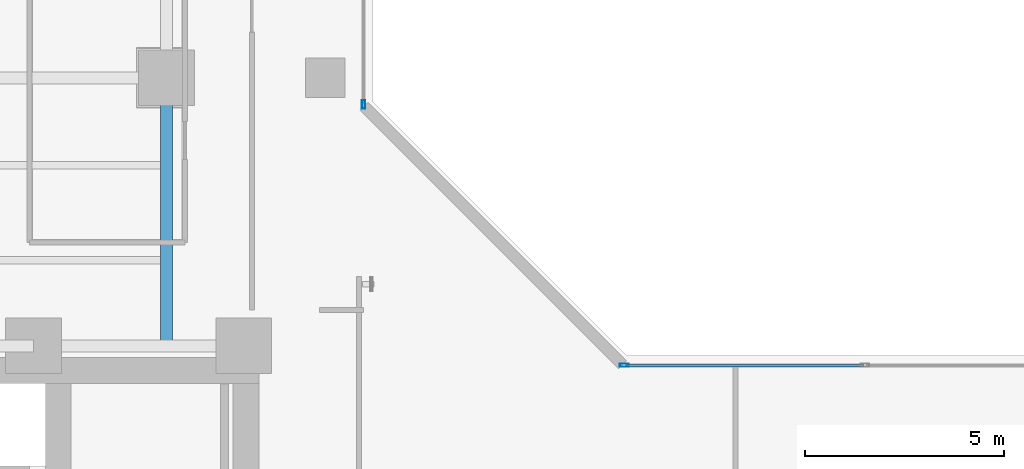
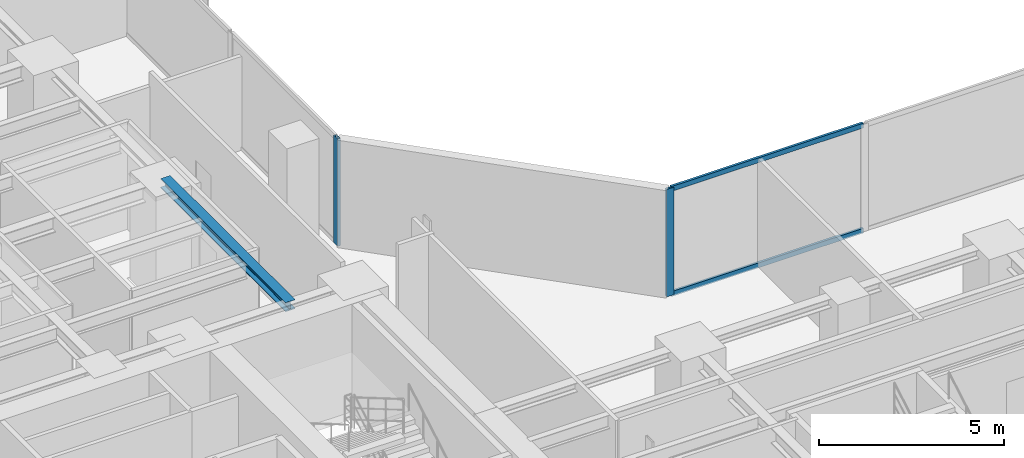
# One storey, part 10 of 28: 4 members, 1 beam, 2 elements without a shape of their own.
"""IFC4 building model written with IfcOpenShell, lengths in metres."""

from ifc_helpers import new_model, si_unit, direction, frame, origin, origin_with_axes, origin_2d, place, context, subcontext, project, spatial, hollow_rectangle, i_section, extrude, source, transform, mapped, material, layer, layer_set, material_profile, profile_set, type_object, element, aggregate, save


model = new_model("IFC4")

# Units and contexts
model_context = context("Model", 3, precision=1e-05, world=origin(), true_north=direction((0.0, 1.0)))
body_context = subcontext(model_context, "Body", "Model", "MODEL_VIEW")
ifc_project = project(units=[si_unit("LENGTHUNIT", "METRE"), si_unit("AREAUNIT", "SQUARE_METRE"), si_unit("VOLUMEUNIT", "CUBIC_METRE"), si_unit("PLANEANGLEUNIT", "RADIAN"), si_unit("MASSUNIT", "GRAM", prefix="KILO")], contexts=[model_context])

# Site, building, storey
site_placement = place(None, origin())
site = spatial("IfcSite", under=ifc_project, at=site_placement, CompositionType="ELEMENT")
building_placement = place(site_placement, origin())
building = spatial("IfcBuilding", under=site, at=building_placement, Name="Kolvaren Waterfront Exchange", CompositionType="ELEMENT")
storey_placement = place(building_placement, frame((0.0, 0.0, 114.5)))
storey = spatial("IfcBuildingStorey", under=building, at=storey_placement, Name="L29", CompositionType="ELEMENT", Elevation=114.5)

# Beam
ifc_material_1 = material(Name="Steel S355", Category="steel")
ifc_material_profile_1 = material_profile(ifc_material_1, i_section(OverallWidth=0.300048828125, OverallDepth=0.300048828125, WebThickness=0.010986328125, FlangeThickness=0.01904296875, FilletRadius=0.027099609375, at=origin_2d()), Name="HEB300")
ifc_profile_set_1 = profile_set([ifc_material_profile_1], Name="Steel S355")
beam_type = type_object("IfcBeamType", Name="STR-BM-HEB300", PredefinedType="SPANDREL", material=ifc_profile_set_1)
beam_placement = place(storey_placement, frame((18.800048828125, 24.449951171875, 3.389892578125), z_axis=(0.0, 1.0, 0.0), x_axis=(-1.0, 0.0, 0.0)))
element("IfcBeam", 1, at=beam_placement, inside=storey, type_object=beam_type, Name="L29 north-arm edge beam 1", PredefinedType="SPANDREL", context=body_context, shape_type="SweptSolid", body=[
    extrude(i_section(OverallWidth=0.300048828125, OverallDepth=0.300048828125, WebThickness=0.010986328125, FlangeThickness=0.01904296875, FilletRadius=0.027099609375, at=origin_2d()), origin(), (0.0, 0.0, 1.0), 6.75),
])

# Curtain wall, member
ifc_material_2 = material(Name="Anodised bronze aluminium 6063-T6", Category="aluminium")
ifc_layer = layer(ifc_material_2, 0.219970703125, Name="Anodised bronze aluminium 6063-T6")
ifc_layer_set = layer_set([ifc_layer], Name="Anodised bronze aluminium 6063-T6")
curtain_wall_type = type_object("IfcCurtainWallType", Name="ARC-CW-SYS1", PredefinedType="USERDEFINED", material=ifc_layer_set)
curtain_wall_1_placement = place(storey_placement, origin())
curtain_wall_1 = element("IfcCurtainWall", 2, at=curtain_wall_1_placement, inside=storey, type_object=curtain_wall_type, Name="L29 stick curtain wall CW1 (CW-L29-NE)", ObjectType="STICK CURTAIN WALL", PredefinedType="USERDEFINED")
ifc_material_3 = material(Name="Anodised aluminium 6063-T6", Category="aluminium")
ifc_material_profile_2 = material_profile(ifc_material_3, hollow_rectangle(XDim=0.080078125, YDim=0.219970703125, WallThickness=0.0048828125, at=origin_2d()), Name="ALU-MUL-220x80x5")
ifc_profile_set_2 = profile_set([ifc_material_profile_2], Name="Anodised aluminium 6063-T6")
member_type_1 = type_object("IfcMemberType", Name="ARC-CWM-220", PredefinedType="MULLION", material=ifc_profile_set_2)
shared_shape_1 = source(origin_with_axes(), body_context, "Body", "SweptSolid", [
    extrude(hollow_rectangle(XDim=0.080078125, YDim=0.219970703125, WallThickness=0.0048828125, at=origin_2d()), origin(), (0.0, 0.0, 1.0), 3.5400390625),
])
member_1_placement = place(storey_placement, frame((23.760009765625, 30.530029296875, 0.0), z_axis=(0.0, 0.0, 1.0), x_axis=(-1.0, 0.0, 0.0)))
member_1 = element("IfcMember", 3, at=member_1_placement, type_object=member_type_1, Name="CW1 mullion 1", PredefinedType="MULLION", context=body_context, shape_type="MappedRepresentation", body=[
    mapped(shared_shape_1, transform((0.0, 0.0, 0.0), x_axis=(1.0, 0.0, 0.0), y_axis=(0.0, 1.0, 0.0), z_axis=(0.0, 0.0, 1.0), scale=1.0)),
])
aggregate(curtain_wall_1, [member_1])

# Curtain wall, members
curtain_wall_2_placement = place(storey_placement, origin())
curtain_wall_2 = element("IfcCurtainWall", 4, at=curtain_wall_2_placement, inside=storey, type_object=curtain_wall_type, Name="L29 stick curtain wall CW1 (CW-L29-EN)", ObjectType="STICK CURTAIN WALL", PredefinedType="USERDEFINED")
member_2_placement = place(storey_placement, frame((30.330078125, 23.9599609375, 0.0), z_axis=(0.0, 0.0, 1.0), x_axis=(0.0, 1.0, 0.0)))
member_2 = element("IfcMember", 5, at=member_2_placement, type_object=member_type_1, Name="CW1 mullion 1", PredefinedType="MULLION", context=body_context, shape_type="MappedRepresentation", body=[
    mapped(shared_shape_1, transform((0.0, 0.0, 0.0), x_axis=(1.0, 0.0, 0.0), y_axis=(0.0, 1.0, 0.0), z_axis=(0.0, 0.0, 1.0), scale=1.0)),
])
ifc_material_profile_3 = material_profile(ifc_material_3, hollow_rectangle(XDim=0.074951171875, YDim=0.159912109375, WallThickness=0.00439453125, at=origin_2d()), Name="ALU-TRN-160x75x4.5")
ifc_profile_set_3 = profile_set([ifc_material_profile_3], Name="Anodised aluminium 6063-T6")
member_type_2 = type_object("IfcMemberType", Name="ARC-CWT-160", PredefinedType="USERDEFINED", material=ifc_profile_set_3)
shared_shape_2 = source(origin_with_axes(), body_context, "Body", "SweptSolid", [
    extrude(hollow_rectangle(XDim=0.074951171875, YDim=0.159912109375, WallThickness=0.00439453125, at=origin_2d()), origin(), (0.0, 0.0, 1.0), 5.982421875),
])
member_3_placement = place(storey_placement, frame((30.3701171875, 23.9599609375, 0.03759765625), z_axis=(1.0, 0.0, 0.0), x_axis=(0.0, 1.0, 0.0)))
member_3 = element("IfcMember", 6, at=member_3_placement, type_object=member_type_2, Name="CW1 transom 1.1", ObjectType="TRANSOM", PredefinedType="USERDEFINED", context=body_context, shape_type="MappedRepresentation", body=[
    mapped(shared_shape_2, transform((0.0, 0.0, 0.0), x_axis=(1.0, 0.0, 0.0), y_axis=(0.0, 1.0, 0.0), z_axis=(0.0, 0.0, 1.0), scale=1.0)),
])
member_4_placement = place(storey_placement, frame((30.3701171875, 23.9599609375, 3.50244140625), z_axis=(1.0, 0.0, 0.0), x_axis=(0.0, 1.0, 0.0)))
member_4 = element("IfcMember", 7, at=member_4_placement, type_object=member_type_2, Name="CW1 transom 1.2", ObjectType="TRANSOM", PredefinedType="USERDEFINED", context=body_context, shape_type="MappedRepresentation", body=[
    mapped(shared_shape_2, transform((0.0, 0.0, 0.0), x_axis=(1.0, 0.0, 0.0), y_axis=(0.0, 1.0, 0.0), z_axis=(0.0, 0.0, 1.0), scale=1.0)),
])
aggregate(curtain_wall_2, [member_2, member_3, member_4])

save(model, "model.ifc")
